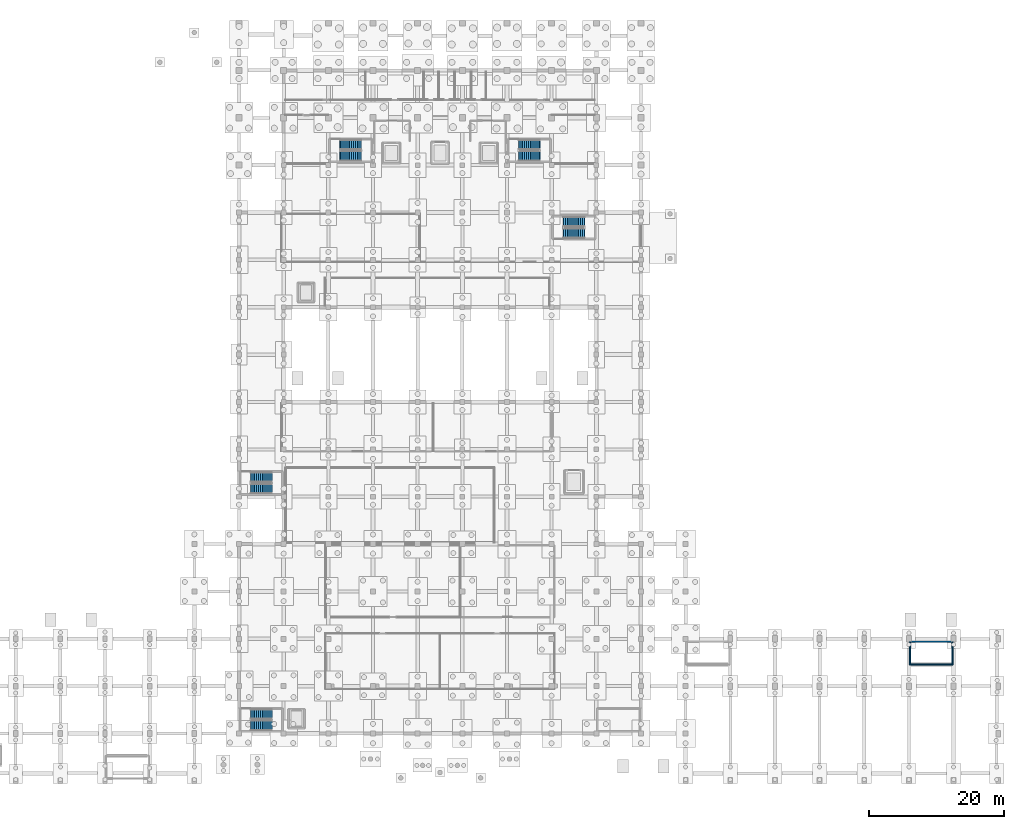
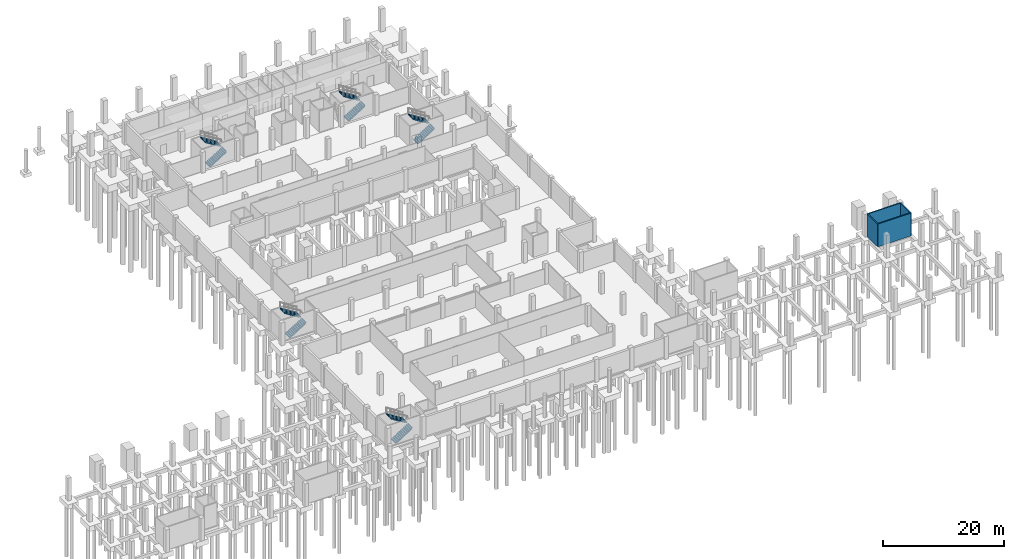
# One storey, part 21 of 27: 10 stair flights, 4 walls, 5 elements without a shape of their own.
"""IFC4 building model written with IfcOpenShell, lengths in metres."""

from ifc_helpers import new_model, si_unit, direction, frame, frame_2d, origin, place, context, subcontext, project, spatial, polyline, rectangle, outline, extrude, material, layer, layer_set, type_object, element, aggregate, save


model = new_model("IFC4")

# Units and contexts
model_context = context("Model", 3, precision=1e-05, world=origin(), true_north=direction((0.0, 1.0)))
body_context = subcontext(model_context, "Body", "Model", "MODEL_VIEW")
ifc_project = project(units=[si_unit("LENGTHUNIT", "METRE"), si_unit("AREAUNIT", "SQUARE_METRE"), si_unit("VOLUMEUNIT", "CUBIC_METRE"), si_unit("PLANEANGLEUNIT", "RADIAN"), si_unit("MASSUNIT", "GRAM", prefix="KILO")], contexts=[model_context])

# Site, building, storey
site_placement = place(None, origin())
site = spatial("IfcSite", under=ifc_project, at=site_placement, CompositionType="ELEMENT")
building_placement = place(site_placement, origin())
building = spatial("IfcBuilding", under=site, at=building_placement, Name="Ciguamira Faculty of Natural Sciences", CompositionType="ELEMENT")
storey_placement = place(building_placement, frame((0.0, 0.0, -4.199951171875)))
storey = spatial("IfcBuildingStorey", under=building, at=storey_placement, Name="B1", CompositionType="ELEMENT", Elevation=-4.199951171875)

# Walls
ifc_material_1 = material(Name="Concrete C40/50", Category="concrete")
ifc_layer = layer(ifc_material_1, 0.199951171875, Name="Concrete C40/50")
ifc_layer_set = layer_set([ifc_layer], Name="Concrete C40/50")
wall_type = type_object("IfcWallType", Name="IntWall_CW-S20_200", PredefinedType="SHEAR", material=ifc_layer_set)
for number, where, z_axis, x_axis, name in (
    (1, (156.449951171875, 20.199951171875, -0.400146484375), (0.0, 0.0, 1.0), (1.0, 0.0, 0.0), "B1 ST-L2 core shear wall south"),
    (2, (156.449951171875, 23.56005859375, -0.400146484375), (0.0, 0.0, 1.0), (1.0, 0.0, 0.0), "B1 ST-L2 core shear wall north"),
):
    element("IfcWall", number, at=place(storey_placement, frame(where, z_axis=z_axis, x_axis=x_axis)), inside=storey, type_object=wall_type, Name=name, PredefinedType="SHEAR", context=body_context, shape_type="SweptSolid", body=[
        extrude(rectangle(XDim=6.300048828125, YDim=0.199951171875, at=frame_2d((3.14990234375, 0.0))), origin(), (0.0, 0.0, 1.0), 4.60009765625),
    ])
for number, where, z_axis, x_axis, name in (
    (3, (156.449951171875, 20.199951171875, -0.400146484375), (0.0, 0.0, 1.0), (0.0, 1.0, 0.0), "B1 ST-L2 core shear wall west"),
    (4, (162.75, 20.199951171875, -0.400146484375), (0.0, 0.0, 1.0), (0.0, 1.0, 0.0), "B1 ST-L2 core shear wall east"),
):
    element("IfcWall", number, at=place(storey_placement, frame(where, z_axis=z_axis, x_axis=x_axis)), inside=storey, type_object=wall_type, Name=name, PredefinedType="SHEAR", context=body_context, shape_type="SweptSolid", body=[
        extrude(rectangle(XDim=3.360107421875, YDim=0.199951171875, at=frame_2d((1.68017578125, 0.0))), origin(), (0.0, 0.0, 1.0), 4.60009765625),
    ])

# Stair, stair flights
stair_type_1 = type_object("IfcStairType", Name="Stair_STR-01", PredefinedType="HALF_TURN_STAIR", material=ifc_material_1)
stair_1_placement = place(storey_placement, origin())
stair_1 = element("IfcStair", 5, at=stair_1_placement, inside=storey, type_object=stair_type_1, Name="B1 Tower West Exit Stair", PredefinedType="HALF_TURN_STAIR")
ifc_material_2 = material(Name="Precast concrete C40/50", Category="concrete")
stair_flight_type_1 = type_object("IfcStairFlightType", Name="StairFlight_SFL-01", PredefinedType="STRAIGHT", material=ifc_material_2)
stair_flight_1_placement = place(storey_placement, frame((72.260009765625, 95.35009765625, 0.0), z_axis=(0.0, 0.0, 1.0), x_axis=(1.0, 0.0, 0.0)))
stair_flight_1 = element("IfcStairFlight", 6, at=stair_flight_1_placement, type_object=stair_flight_type_1, Name="ST-T1 flight 1", NumberOfRisers=12, NumberOfTreads=11, PredefinedType="STRAIGHT", RiserHeight=0.175, TreadLength=0.28, context=body_context, shape_type="SweptSolid", body=[
    extrude(outline(polyline([(-0.080078125, -0.034912109375), (-0.080078125, 0.0), (0.0, 0.0), (0.0, 0.175048828125), (0.280029296875, 0.175048828125), (0.280029296875, 0.35009765625), (0.56005859375, 0.35009765625), (0.56005859375, 0.52490234375), (0.840087890625, 0.52490234375), (0.840087890625, 0.699951171875), (1.1201171875, 0.699951171875), (1.1201171875, 0.875), (1.39990234375, 0.875), (1.39990234375, 1.050048828125), (1.679931640625, 1.050048828125), (1.679931640625, 1.22509765625), (1.9599609375, 1.22509765625), (1.9599609375, 1.39990234375), (2.239990234375, 1.39990234375), (2.239990234375, 1.574951171875), (2.52001953125, 1.574951171875), (2.52001953125, 1.75), (2.800048828125, 1.75), (2.800048828125, 1.925048828125), (3.080078125, 1.925048828125), (3.080078125, 2.10009765625), (3.16015625, 2.10009765625), (3.16015625, 2.065185546875), (3.080078125, 1.748291015625), (0.28271484375, -0.034912109375), (-0.080078125, -0.034912109375)])), frame((0.0, 0.75, 0.0), z_axis=(0.0, -1.0, 0.0), x_axis=(1.0, 0.0, 0.0)), (0.0, 0.0, 1.0), 1.5),
])
stair_flight_2_placement = place(storey_placement, frame((75.340087890625, 97.010009765625, 2.099853515625), z_axis=(0.0, 0.0, 1.0), x_axis=(-1.0, 0.0, 0.0)))
stair_flight_2 = element("IfcStairFlight", 7, at=stair_flight_2_placement, type_object=stair_flight_type_1, Name="ST-T1 flight 2", NumberOfRisers=12, NumberOfTreads=11, PredefinedType="STRAIGHT", RiserHeight=0.175, TreadLength=0.28, context=body_context, shape_type="SweptSolid", body=[
    extrude(outline(polyline([(-0.080078125, -0.034912109375), (-0.080078125, 0.0), (0.0, 0.0), (0.0, 0.175048828125), (0.280029296875, 0.175048828125), (0.280029296875, 0.35009765625), (0.56005859375, 0.35009765625), (0.56005859375, 0.52490234375), (0.840087890625, 0.52490234375), (0.840087890625, 0.699951171875), (1.1201171875, 0.699951171875), (1.1201171875, 0.875), (1.39990234375, 0.875), (1.39990234375, 1.050048828125), (1.679931640625, 1.050048828125), (1.679931640625, 1.22509765625), (1.9599609375, 1.22509765625), (1.9599609375, 1.39990234375), (2.239990234375, 1.39990234375), (2.239990234375, 1.574951171875), (2.52001953125, 1.574951171875), (2.52001953125, 1.75), (2.800048828125, 1.75), (2.800048828125, 1.925048828125), (3.080078125, 1.925048828125), (3.080078125, 2.10009765625), (3.16015625, 2.10009765625), (3.16015625, 2.065185546875), (3.080078125, 1.748291015625), (0.28271484375, -0.034912109375), (-0.080078125, -0.034912109375)])), frame((0.0, 0.75, 0.0), z_axis=(0.0, -1.0, 0.0), x_axis=(1.0, 0.0, 0.0)), (0.0, 0.0, 1.0), 1.5),
])
aggregate(stair_1, [stair_flight_1, stair_flight_2])

stair_2_placement = place(storey_placement, origin())
stair_2 = element("IfcStair", 8, at=stair_2_placement, inside=storey, type_object=stair_type_1, Name="B1 Atrium West Exit Stair", PredefinedType="HALF_TURN_STAIR")
stair_flight_3_placement = place(storey_placement, frame((59.06005859375, 11.199951171875, 0.0), z_axis=(0.0, 0.0, 1.0), x_axis=(1.0, 0.0, 0.0)))
stair_flight_3 = element("IfcStairFlight", 9, at=stair_flight_3_placement, type_object=stair_flight_type_1, Name="ST-A1 flight 1", NumberOfRisers=12, NumberOfTreads=11, PredefinedType="STRAIGHT", RiserHeight=0.175, TreadLength=0.28, context=body_context, shape_type="SweptSolid", body=[
    extrude(outline(polyline([(-0.080078125, -0.034912109375), (-0.080078125, 0.0), (0.0, 0.0), (0.0, 0.175048828125), (0.280029296875, 0.175048828125), (0.280029296875, 0.35009765625), (0.56005859375, 0.35009765625), (0.56005859375, 0.52490234375), (0.840087890625, 0.52490234375), (0.840087890625, 0.699951171875), (1.1201171875, 0.699951171875), (1.1201171875, 0.875), (1.39990234375, 0.875), (1.39990234375, 1.050048828125), (1.679931640625, 1.050048828125), (1.679931640625, 1.22509765625), (1.9599609375, 1.22509765625), (1.9599609375, 1.39990234375), (2.239990234375, 1.39990234375), (2.239990234375, 1.574951171875), (2.52001953125, 1.574951171875), (2.52001953125, 1.75), (2.800048828125, 1.75), (2.800048828125, 1.925048828125), (3.080078125, 1.925048828125), (3.080078125, 2.10009765625), (3.16015625, 2.10009765625), (3.16015625, 2.065185546875), (3.080078125, 1.748291015625), (0.28271484375, -0.034912109375), (-0.080078125, -0.034912109375)])), frame((0.0, 0.75, 0.0), z_axis=(0.0, -1.0, 0.0), x_axis=(1.0, 0.0, 0.0)), (0.0, 0.0, 1.0), 1.5),
])
stair_flight_4_placement = place(storey_placement, frame((62.139892578125, 12.860107421875, 2.099853515625), z_axis=(0.0, 0.0, 1.0), x_axis=(-1.0, 0.0, 0.0)))
stair_flight_4 = element("IfcStairFlight", 10, at=stair_flight_4_placement, type_object=stair_flight_type_1, Name="ST-A1 flight 2", NumberOfRisers=12, NumberOfTreads=11, PredefinedType="STRAIGHT", RiserHeight=0.175, TreadLength=0.28, context=body_context, shape_type="SweptSolid", body=[
    extrude(outline(polyline([(-0.080078125, -0.034912109375), (-0.080078125, 0.0), (0.0, 0.0), (0.0, 0.175048828125), (0.280029296875, 0.175048828125), (0.280029296875, 0.35009765625), (0.56005859375, 0.35009765625), (0.56005859375, 0.52490234375), (0.840087890625, 0.52490234375), (0.840087890625, 0.699951171875), (1.1201171875, 0.699951171875), (1.1201171875, 0.875), (1.39990234375, 0.875), (1.39990234375, 1.050048828125), (1.679931640625, 1.050048828125), (1.679931640625, 1.22509765625), (1.9599609375, 1.22509765625), (1.9599609375, 1.39990234375), (2.239990234375, 1.39990234375), (2.239990234375, 1.574951171875), (2.52001953125, 1.574951171875), (2.52001953125, 1.75), (2.800048828125, 1.75), (2.800048828125, 1.925048828125), (3.080078125, 1.925048828125), (3.080078125, 2.10009765625), (3.16015625, 2.10009765625), (3.16015625, 2.065185546875), (3.080078125, 1.748291015625), (0.28271484375, -0.034912109375), (-0.080078125, -0.034912109375)])), frame((0.0, 0.75, 0.0), z_axis=(0.0, -1.0, 0.0), x_axis=(1.0, 0.0, 0.0)), (0.0, 0.0, 1.0), 1.5),
])
aggregate(stair_2, [stair_flight_3, stair_flight_4])

stair_3_placement = place(storey_placement, origin())
stair_3 = element("IfcStair", 11, at=stair_3_placement, inside=storey, type_object=stair_type_1, Name="B1 Wave Labs South-West Exit Stair", PredefinedType="HALF_TURN_STAIR")
stair_flight_5_placement = place(storey_placement, frame((59.06005859375, 46.199951171875, 0.0), z_axis=(0.0, 0.0, 1.0), x_axis=(1.0, 0.0, 0.0)))
stair_flight_5 = element("IfcStairFlight", 12, at=stair_flight_5_placement, type_object=stair_flight_type_1, Name="ST-W1 flight 1", NumberOfRisers=12, NumberOfTreads=11, PredefinedType="STRAIGHT", RiserHeight=0.175, TreadLength=0.28, context=body_context, shape_type="SweptSolid", body=[
    extrude(outline(polyline([(-0.080078125, -0.034912109375), (-0.080078125, 0.0), (0.0, 0.0), (0.0, 0.175048828125), (0.280029296875, 0.175048828125), (0.280029296875, 0.35009765625), (0.56005859375, 0.35009765625), (0.56005859375, 0.52490234375), (0.840087890625, 0.52490234375), (0.840087890625, 0.699951171875), (1.1201171875, 0.699951171875), (1.1201171875, 0.875), (1.39990234375, 0.875), (1.39990234375, 1.050048828125), (1.679931640625, 1.050048828125), (1.679931640625, 1.22509765625), (1.9599609375, 1.22509765625), (1.9599609375, 1.39990234375), (2.239990234375, 1.39990234375), (2.239990234375, 1.574951171875), (2.52001953125, 1.574951171875), (2.52001953125, 1.75), (2.800048828125, 1.75), (2.800048828125, 1.925048828125), (3.080078125, 1.925048828125), (3.080078125, 2.10009765625), (3.16015625, 2.10009765625), (3.16015625, 2.065185546875), (3.080078125, 1.748291015625), (0.28271484375, -0.034912109375), (-0.080078125, -0.034912109375)])), frame((0.0, 0.75, 0.0), z_axis=(0.0, -1.0, 0.0), x_axis=(1.0, 0.0, 0.0)), (0.0, 0.0, 1.0), 1.5),
])
stair_flight_6_placement = place(storey_placement, frame((62.139892578125, 47.860107421875, 2.099853515625), z_axis=(0.0, 0.0, 1.0), x_axis=(-1.0, 0.0, 0.0)))
stair_flight_6 = element("IfcStairFlight", 13, at=stair_flight_6_placement, type_object=stair_flight_type_1, Name="ST-W1 flight 2", NumberOfRisers=12, NumberOfTreads=11, PredefinedType="STRAIGHT", RiserHeight=0.175, TreadLength=0.28, context=body_context, shape_type="SweptSolid", body=[
    extrude(outline(polyline([(-0.080078125, -0.034912109375), (-0.080078125, 0.0), (0.0, 0.0), (0.0, 0.175048828125), (0.280029296875, 0.175048828125), (0.280029296875, 0.35009765625), (0.56005859375, 0.35009765625), (0.56005859375, 0.52490234375), (0.840087890625, 0.52490234375), (0.840087890625, 0.699951171875), (1.1201171875, 0.699951171875), (1.1201171875, 0.875), (1.39990234375, 0.875), (1.39990234375, 1.050048828125), (1.679931640625, 1.050048828125), (1.679931640625, 1.22509765625), (1.9599609375, 1.22509765625), (1.9599609375, 1.39990234375), (2.239990234375, 1.39990234375), (2.239990234375, 1.574951171875), (2.52001953125, 1.574951171875), (2.52001953125, 1.75), (2.800048828125, 1.75), (2.800048828125, 1.925048828125), (3.080078125, 1.925048828125), (3.080078125, 2.10009765625), (3.16015625, 2.10009765625), (3.16015625, 2.065185546875), (3.080078125, 1.748291015625), (0.28271484375, -0.034912109375), (-0.080078125, -0.034912109375)])), frame((0.0, 0.75, 0.0), z_axis=(0.0, -1.0, 0.0), x_axis=(1.0, 0.0, 0.0)), (0.0, 0.0, 1.0), 1.5),
])
aggregate(stair_3, [stair_flight_5, stair_flight_6])

stair_type_2 = type_object("IfcStairType", Name="Stair_STR-02", PredefinedType="HALF_TURN_STAIR", material=ifc_material_1)
stair_4_placement = place(storey_placement, origin())
stair_4 = element("IfcStair", 14, at=stair_4_placement, inside=storey, type_object=stair_type_2, Name="B1 Tower East Exit Stair", PredefinedType="HALF_TURN_STAIR")
stair_flight_type_2 = type_object("IfcStairFlightType", Name="StairFlight_SFL-02", PredefinedType="STRAIGHT", material=ifc_material_2)
stair_flight_7_placement = place(storey_placement, frame((98.659912109375, 95.35009765625, 0.0), z_axis=(0.0, 0.0, 1.0), x_axis=(1.0, 0.0, 0.0)))
stair_flight_7 = element("IfcStairFlight", 15, at=stair_flight_7_placement, type_object=stair_flight_type_2, Name="ST-T2 flight 1", NumberOfRisers=12, NumberOfTreads=11, PredefinedType="STRAIGHT", RiserHeight=0.175, TreadLength=0.28, context=body_context, shape_type="SweptSolid", body=[
    extrude(outline(polyline([(-0.080078125, -0.034912109375), (-0.080078125, 0.0), (0.0, 0.0), (0.0, 0.175048828125), (0.280029296875, 0.175048828125), (0.280029296875, 0.35009765625), (0.56005859375, 0.35009765625), (0.56005859375, 0.52490234375), (0.840087890625, 0.52490234375), (0.840087890625, 0.699951171875), (1.1201171875, 0.699951171875), (1.1201171875, 0.875), (1.39990234375, 0.875), (1.39990234375, 1.050048828125), (1.679931640625, 1.050048828125), (1.679931640625, 1.22509765625), (1.9599609375, 1.22509765625), (1.9599609375, 1.39990234375), (2.239990234375, 1.39990234375), (2.239990234375, 1.574951171875), (2.52001953125, 1.574951171875), (2.52001953125, 1.75), (2.800048828125, 1.75), (2.800048828125, 1.925048828125), (3.080078125, 1.925048828125), (3.080078125, 2.10009765625), (3.16015625, 2.10009765625), (3.16015625, 2.065185546875), (3.080078125, 1.748291015625), (0.28271484375, -0.034912109375), (-0.080078125, -0.034912109375)])), frame((0.0, 0.75, 0.0), z_axis=(0.0, -1.0, 0.0), x_axis=(1.0, 0.0, 0.0)), (0.0, 0.0, 1.0), 1.5),
])
stair_flight_8_placement = place(storey_placement, frame((101.739990234375, 97.010009765625, 2.099853515625), z_axis=(0.0, 0.0, 1.0), x_axis=(-1.0, 0.0, 0.0)))
stair_flight_8 = element("IfcStairFlight", 16, at=stair_flight_8_placement, type_object=stair_flight_type_2, Name="ST-T2 flight 2", NumberOfRisers=12, NumberOfTreads=11, PredefinedType="STRAIGHT", RiserHeight=0.175, TreadLength=0.28, context=body_context, shape_type="SweptSolid", body=[
    extrude(outline(polyline([(-0.080078125, -0.034912109375), (-0.080078125, 0.0), (0.0, 0.0), (0.0, 0.175048828125), (0.280029296875, 0.175048828125), (0.280029296875, 0.35009765625), (0.56005859375, 0.35009765625), (0.56005859375, 0.52490234375), (0.840087890625, 0.52490234375), (0.840087890625, 0.699951171875), (1.1201171875, 0.699951171875), (1.1201171875, 0.875), (1.39990234375, 0.875), (1.39990234375, 1.050048828125), (1.679931640625, 1.050048828125), (1.679931640625, 1.22509765625), (1.9599609375, 1.22509765625), (1.9599609375, 1.39990234375), (2.239990234375, 1.39990234375), (2.239990234375, 1.574951171875), (2.52001953125, 1.574951171875), (2.52001953125, 1.75), (2.800048828125, 1.75), (2.800048828125, 1.925048828125), (3.080078125, 1.925048828125), (3.080078125, 2.10009765625), (3.16015625, 2.10009765625), (3.16015625, 2.065185546875), (3.080078125, 1.748291015625), (0.28271484375, -0.034912109375), (-0.080078125, -0.034912109375)])), frame((0.0, 0.75, 0.0), z_axis=(0.0, -1.0, 0.0), x_axis=(1.0, 0.0, 0.0)), (0.0, 0.0, 1.0), 1.5),
])
aggregate(stair_4, [stair_flight_7, stair_flight_8])

stair_5_placement = place(storey_placement, origin())
stair_5 = element("IfcStair", 17, at=stair_5_placement, inside=storey, type_object=stair_type_2, Name="B1 Wave Labs North-East Exit Stair", PredefinedType="HALF_TURN_STAIR")
stair_flight_9_placement = place(storey_placement, frame((105.260009765625, 83.949951171875, 0.0), z_axis=(0.0, 0.0, 1.0), x_axis=(1.0, 0.0, 0.0)))
stair_flight_9 = element("IfcStairFlight", 18, at=stair_flight_9_placement, type_object=stair_flight_type_2, Name="ST-W2 flight 1", NumberOfRisers=12, NumberOfTreads=11, PredefinedType="STRAIGHT", RiserHeight=0.175, TreadLength=0.28, context=body_context, shape_type="SweptSolid", body=[
    extrude(outline(polyline([(-0.080078125, -0.034912109375), (-0.080078125, 0.0), (0.0, 0.0), (0.0, 0.175048828125), (0.280029296875, 0.175048828125), (0.280029296875, 0.35009765625), (0.56005859375, 0.35009765625), (0.56005859375, 0.52490234375), (0.840087890625, 0.52490234375), (0.840087890625, 0.699951171875), (1.1201171875, 0.699951171875), (1.1201171875, 0.875), (1.39990234375, 0.875), (1.39990234375, 1.050048828125), (1.679931640625, 1.050048828125), (1.679931640625, 1.22509765625), (1.9599609375, 1.22509765625), (1.9599609375, 1.39990234375), (2.239990234375, 1.39990234375), (2.239990234375, 1.574951171875), (2.52001953125, 1.574951171875), (2.52001953125, 1.75), (2.800048828125, 1.75), (2.800048828125, 1.925048828125), (3.080078125, 1.925048828125), (3.080078125, 2.10009765625), (3.16015625, 2.10009765625), (3.16015625, 2.065185546875), (3.080078125, 1.748291015625), (0.28271484375, -0.034912109375), (-0.080078125, -0.034912109375)])), frame((0.0, 0.75, 0.0), z_axis=(0.0, -1.0, 0.0), x_axis=(1.0, 0.0, 0.0)), (0.0, 0.0, 1.0), 1.5),
])
stair_flight_10_placement = place(storey_placement, frame((108.340087890625, 85.610107421875, 2.099853515625), z_axis=(0.0, 0.0, 1.0), x_axis=(-1.0, 0.0, 0.0)))
stair_flight_10 = element("IfcStairFlight", 19, at=stair_flight_10_placement, type_object=stair_flight_type_2, Name="ST-W2 flight 2", NumberOfRisers=12, NumberOfTreads=11, PredefinedType="STRAIGHT", RiserHeight=0.175, TreadLength=0.28, context=body_context, shape_type="SweptSolid", body=[
    extrude(outline(polyline([(-0.080078125, -0.034912109375), (-0.080078125, 0.0), (0.0, 0.0), (0.0, 0.175048828125), (0.280029296875, 0.175048828125), (0.280029296875, 0.35009765625), (0.56005859375, 0.35009765625), (0.56005859375, 0.52490234375), (0.840087890625, 0.52490234375), (0.840087890625, 0.699951171875), (1.1201171875, 0.699951171875), (1.1201171875, 0.875), (1.39990234375, 0.875), (1.39990234375, 1.050048828125), (1.679931640625, 1.050048828125), (1.679931640625, 1.22509765625), (1.9599609375, 1.22509765625), (1.9599609375, 1.39990234375), (2.239990234375, 1.39990234375), (2.239990234375, 1.574951171875), (2.52001953125, 1.574951171875), (2.52001953125, 1.75), (2.800048828125, 1.75), (2.800048828125, 1.925048828125), (3.080078125, 1.925048828125), (3.080078125, 2.10009765625), (3.16015625, 2.10009765625), (3.16015625, 2.065185546875), (3.080078125, 1.748291015625), (0.28271484375, -0.034912109375), (-0.080078125, -0.034912109375)])), frame((0.0, 0.75, 0.0), z_axis=(0.0, -1.0, 0.0), x_axis=(1.0, 0.0, 0.0)), (0.0, 0.0, 1.0), 1.5),
])
aggregate(stair_5, [stair_flight_9, stair_flight_10])

save(model, "model.ifc")
